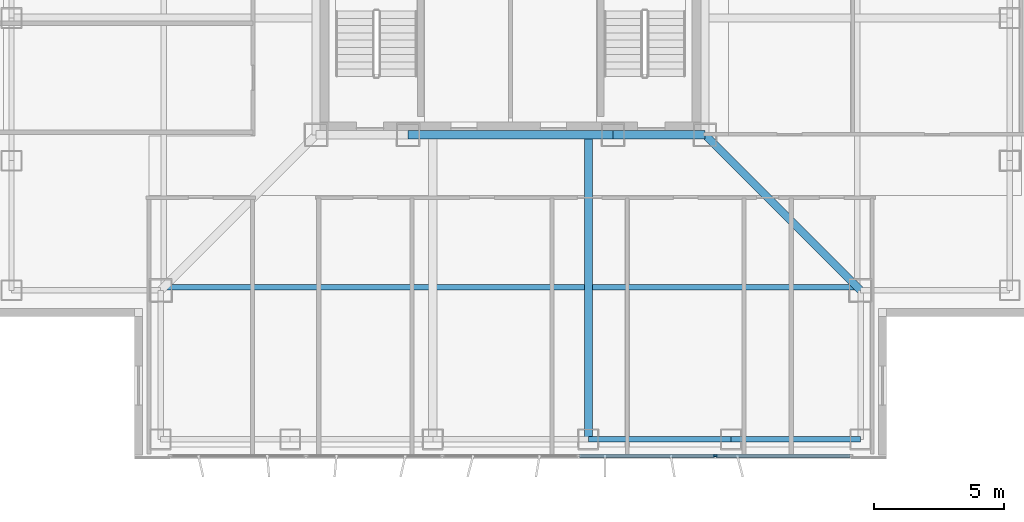
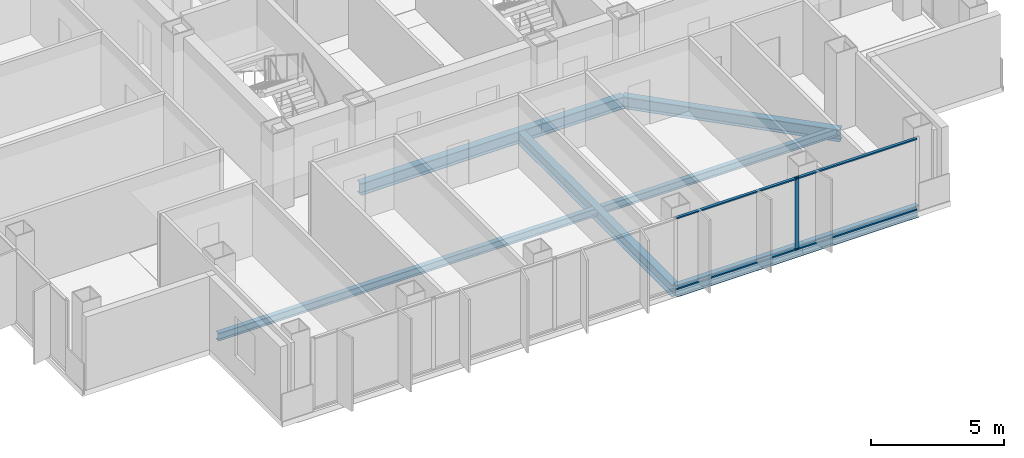
# One storey, part 3 of 18: 7 beams, 5 members, 1 element without a shape of its own.
"""IFC4 building model written with IfcOpenShell, lengths in metres."""

from ifc_helpers import new_model, si_unit, direction, frame, origin, origin_2d, place, context, subcontext, project, spatial, rectangle, i_section, extrude, material, layer, layer_set, material_profile, profile_set, type_object, element, aggregate, save


model = new_model("IFC4")

# Units and contexts
model_context = context("Model", 3, precision=1e-05, world=origin(), true_north=direction((0.0, 1.0)))
body_context = subcontext(model_context, "Body", "Model", "MODEL_VIEW")
ifc_project = project(units=[si_unit("LENGTHUNIT", "METRE"), si_unit("AREAUNIT", "SQUARE_METRE"), si_unit("VOLUMEUNIT", "CUBIC_METRE"), si_unit("PLANEANGLEUNIT", "RADIAN"), si_unit("MASSUNIT", "GRAM", prefix="KILO")], contexts=[model_context])

# Site, building, storey
site_placement = place(None, origin())
site = spatial("IfcSite", under=ifc_project, at=site_placement, CompositionType="ELEMENT")
building_placement = place(site_placement, origin())
building = spatial("IfcBuilding", under=site, at=building_placement, Name="Trevonay Congress Spire", CompositionType="ELEMENT")
storey_placement = place(building_placement, frame((0.0, 0.0, 173.39990234375)))
storey = spatial("IfcBuildingStorey", under=building, at=storey_placement, Name="L44", CompositionType="ELEMENT", Elevation=173.39990234375)

# Beams
ifc_material_1 = material(Name="Steel ASTM A572 Grade 50", Category="steel")
ifc_material_profile_1 = material_profile(ifc_material_1, i_section(OverallWidth=0.31201171875, OverallDepth=0.54296875, WebThickness=0.0126953125, FlangeThickness=0.020263671875, FilletRadius=0.014892578125, at=origin_2d()), Name="W530x150")
ifc_profile_set_1 = profile_set([ifc_material_profile_1], Name="Steel ASTM A572 Grade 50")
beam_type_1 = type_object("IfcBeamType", Name="BM-GIRD-W530X150", PredefinedType="BEAM", material=ifc_profile_set_1)
beam_1_placement = place(storey_placement, frame((-3.949951171875, -7.5, -0.511474609375), z_axis=(1.0, 0.0, 0.0), x_axis=(0.0, 1.0, 0.0)))
element("IfcBeam", 1, at=beam_1_placement, inside=storey, type_object=beam_type_1, Name="L44 structural beam BM-L44-CR-S2", PredefinedType="BEAM", context=body_context, shape_type="SweptSolid", body=[
    extrude(i_section(OverallWidth=0.31201171875, OverallDepth=0.54296875, WebThickness=0.0126953125, FlangeThickness=0.020263671875, FilletRadius=0.014892578125, at=origin_2d()), origin(), (0.0, 0.0, 1.0), 7.89990234375),
])
beam_2_placement = place(storey_placement, frame((3.949951171875, -7.5, -0.511474609375), z_axis=(1.0, 0.0, 0.0), x_axis=(0.0, 1.0, 0.0)))
element("IfcBeam", 2, at=beam_2_placement, inside=storey, type_object=beam_type_1, Name="L44 structural beam BM-L44-CR-S3", PredefinedType="BEAM", context=body_context, shape_type="SweptSolid", body=[
    extrude(i_section(OverallWidth=0.31201171875, OverallDepth=0.54296875, WebThickness=0.0126953125, FlangeThickness=0.020263671875, FilletRadius=0.014892578125, at=origin_2d()), origin(), (0.0, 0.0, 1.0), 3.550048828125),
])
beam_3_placement = place(storey_placement, frame((7.5, -7.5, -0.511474609375), z_axis=(0.707106781187, -0.707106781187, 0.0), x_axis=(0.707106781187, 0.707106781187, 0.0)))
element("IfcBeam", 3, at=beam_3_placement, inside=storey, type_object=beam_type_1, Name="L44 structural beam BM-L44-CDSE", PredefinedType="BEAM", context=body_context, shape_type="SweptSolid", body=[
    extrude(i_section(OverallWidth=0.31201171875, OverallDepth=0.54296875, WebThickness=0.0126953125, FlangeThickness=0.020263671875, FilletRadius=0.014892578125, at=origin_2d()), origin(), (0.0, 0.0, 1.0), 8.4853515625),
])
beam_4_placement = place(storey_placement, frame((3.0, -7.5, -0.511474609375), z_axis=(0.0, -1.0, 0.0), x_axis=(1.0, 0.0, 0.0)))
element("IfcBeam", 4, at=beam_4_placement, inside=storey, type_object=beam_type_1, Name="L44 structural beam BM-L44-GS-P", PredefinedType="BEAM", context=body_context, shape_type="SweptSolid", body=[
    extrude(i_section(OverallWidth=0.31201171875, OverallDepth=0.54296875, WebThickness=0.0126953125, FlangeThickness=0.020263671875, FilletRadius=0.014892578125, at=origin_2d()), origin(), (0.0, 0.0, 1.0), 11.75),
])
ifc_material_profile_2 = material_profile(ifc_material_1, i_section(OverallWidth=0.2119140625, OverallDepth=0.5439453125, WebThickness=0.01318359375, FlangeThickness=0.021240234375, FilletRadius=0.014892578125, at=origin_2d()), Name="W530x123")
ifc_profile_set_2 = profile_set([ifc_material_profile_2], Name="Steel ASTM A572 Grade 50")
beam_type_2 = type_object("IfcBeamType", Name="BM-RING-W530X123", PredefinedType="BEAM", material=ifc_profile_set_2)
beam_5_placement = place(storey_placement, frame((3.0, -19.25, -0.511962890625), z_axis=(1.0, 0.0, 0.0), x_axis=(0.0, 1.0, 0.0)))
element("IfcBeam", 5, at=beam_5_placement, inside=storey, type_object=beam_type_2, Name="L44 structural beam BM-L44-PS4", PredefinedType="BEAM", context=body_context, shape_type="SweptSolid", body=[
    extrude(i_section(OverallWidth=0.2119140625, OverallDepth=0.5439453125, WebThickness=0.01318359375, FlangeThickness=0.021240234375, FilletRadius=0.014892578125, at=origin_2d()), origin(), (0.0, 0.0, 1.0), 5.5),
])
beam_6_placement = place(storey_placement, frame((8.5, -19.25, -0.511962890625), z_axis=(1.0, 0.0, 0.0), x_axis=(0.0, 1.0, 0.0)))
element("IfcBeam", 6, at=beam_6_placement, inside=storey, type_object=beam_type_2, Name="L44 structural beam BM-L44-PS5", PredefinedType="BEAM", context=body_context, shape_type="SweptSolid", body=[
    extrude(i_section(OverallWidth=0.2119140625, OverallDepth=0.5439453125, WebThickness=0.01318359375, FlangeThickness=0.021240234375, FilletRadius=0.014892578125, at=origin_2d()), origin(), (0.0, 0.0, 1.0), 5.0),
])

# Curtain wall, members
ifc_material_2 = material(Name="Pale Anodised Aluminium EN AW-6063-T6", Category="aluminium")
ifc_layer = layer(ifc_material_2, 0.169921875, Name="Pale Anodised Aluminium EN AW-6063-T6")
ifc_layer_set = layer_set([ifc_layer], Name="Pale Anodised Aluminium EN AW-6063-T6")
curtain_wall_type = type_object("IfcCurtainWallType", Name="CW-SYS04-CORP-PALE-METAL", PredefinedType="NOTDEFINED", material=ifc_layer_set)
curtain_wall_placement = place(storey_placement, origin())
curtain_wall = element("IfcCurtainWall", 7, at=curtain_wall_placement, inside=storey, type_object=curtain_wall_type, Name="L44 S unitised curtain wall", PredefinedType="NOTDEFINED")
ifc_material_profile_3 = material_profile(ifc_material_2, rectangle(XDim=0.06005859375, YDim=0.159912109375, at=origin_2d()), Name="CW-MULLION-160-ALUMINIUM")
ifc_profile_set_3 = profile_set([ifc_material_profile_3], Name="Pale Anodised Aluminium EN AW-6063-T6")
member_type_1 = type_object("IfcMemberType", Name="CW-MULLION-160-ALUMINIUM", PredefinedType="MULLION", material=ifc_profile_set_3)
member_1_placement = place(storey_placement, frame((7.889892578125, -19.8798828125, 0.0), z_axis=(0.0, 0.0, 1.0), x_axis=(0.0, 1.0, 0.0)))
member_1 = element("IfcMember", 8, at=member_1_placement, type_object=member_type_1, Name="CW04 mullion 5", PredefinedType="MULLION", context=body_context, shape_type="SweptSolid", body=[
    extrude(rectangle(XDim=0.06005859375, YDim=0.159912109375, at=origin_2d()), origin(), (0.0, 0.0, 1.0), 3.360107421875),
])
ifc_material_profile_4 = material_profile(ifc_material_2, rectangle(XDim=0.1201171875, YDim=0.06005859375, at=origin_2d()), Name="CW-TRANSOM-120-ALUMINIUM")
ifc_profile_set_4 = profile_set([ifc_material_profile_4], Name="Pale Anodised Aluminium EN AW-6063-T6")
member_type_2 = type_object("IfcMemberType", Name="CW-TRANSOM-120-ALUMINIUM", PredefinedType="USERDEFINED", material=ifc_profile_set_4)
member_2_placement = place(storey_placement, frame((2.659912109375, -19.8798828125, 0.06005859375), z_axis=(1.0, 0.0, 0.0), x_axis=(0.0, 1.0, 0.0)))
member_2 = element("IfcMember", 9, at=member_2_placement, type_object=member_type_2, Name="CW04 transom 4.1", ObjectType="TRANSOM", PredefinedType="USERDEFINED", context=body_context, shape_type="SweptSolid", body=[
    extrude(rectangle(XDim=0.1201171875, YDim=0.06005859375, at=origin_2d()), origin(), (0.0, 0.0, 1.0), 5.2001953125),
])
member_3_placement = place(storey_placement, frame((2.659912109375, -19.8798828125, 3.300048828125), z_axis=(1.0, 0.0, 0.0), x_axis=(0.0, 1.0, 0.0)))
member_3 = element("IfcMember", 10, at=member_3_placement, type_object=member_type_2, Name="CW04 transom 4.2", ObjectType="TRANSOM", PredefinedType="USERDEFINED", context=body_context, shape_type="SweptSolid", body=[
    extrude(rectangle(XDim=0.1201171875, YDim=0.06005859375, at=origin_2d()), origin(), (0.0, 0.0, 1.0), 5.2001953125),
])
member_4_placement = place(storey_placement, frame((7.919921875, -19.8798828125, 0.06005859375), z_axis=(1.0, 0.0, 0.0), x_axis=(0.0, 1.0, 0.0)))
member_4 = element("IfcMember", 11, at=member_4_placement, type_object=member_type_2, Name="CW04 transom 5.1", ObjectType="TRANSOM", PredefinedType="USERDEFINED", context=body_context, shape_type="SweptSolid", body=[
    extrude(rectangle(XDim=0.1201171875, YDim=0.06005859375, at=origin_2d()), origin(), (0.0, 0.0, 1.0), 5.170166015625),
])
member_5_placement = place(storey_placement, frame((7.919921875, -19.8798828125, 3.300048828125), z_axis=(1.0, 0.0, 0.0), x_axis=(0.0, 1.0, 0.0)))
member_5 = element("IfcMember", 12, at=member_5_placement, type_object=member_type_2, Name="CW04 transom 5.2", ObjectType="TRANSOM", PredefinedType="USERDEFINED", context=body_context, shape_type="SweptSolid", body=[
    extrude(rectangle(XDim=0.1201171875, YDim=0.06005859375, at=origin_2d()), origin(), (0.0, 0.0, 1.0), 5.170166015625),
])
aggregate(curtain_wall, [member_1, member_2, member_3, member_4, member_5])

# Beam
ifc_material_profile_5 = material_profile(ifc_material_1, i_section(OverallWidth=0.205078125, OverallDepth=0.35400390625, WebThickness=0.009521484375, FlangeThickness=0.016845703125, FilletRadius=0.011962890625, at=origin_2d()), Name="W360x79")
ifc_profile_set_5 = profile_set([ifc_material_profile_5], Name="Steel ASTM A572 Grade 50")
beam_type_3 = type_object("IfcBeamType", Name="JS-COMP-W360X79", PredefinedType="JOIST", material=ifc_profile_set_5)
beam_7_placement = place(storey_placement, frame((-13.5, -13.375, -0.4169921875), z_axis=(1.0, 0.0, 0.0), x_axis=(0.0, 1.0, 0.0)))
element("IfcBeam", 13, at=beam_7_placement, inside=storey, type_object=beam_type_3, Name="L44 structural beam JS-L44-RING-S", PredefinedType="JOIST", context=body_context, shape_type="SweptSolid", body=[
    extrude(i_section(OverallWidth=0.205078125, OverallDepth=0.35400390625, WebThickness=0.009521484375, FlangeThickness=0.016845703125, FilletRadius=0.011962890625, at=origin_2d()), origin(), (0.0, 0.0, 1.0), 27.0),
])

save(model, "model.ifc")
